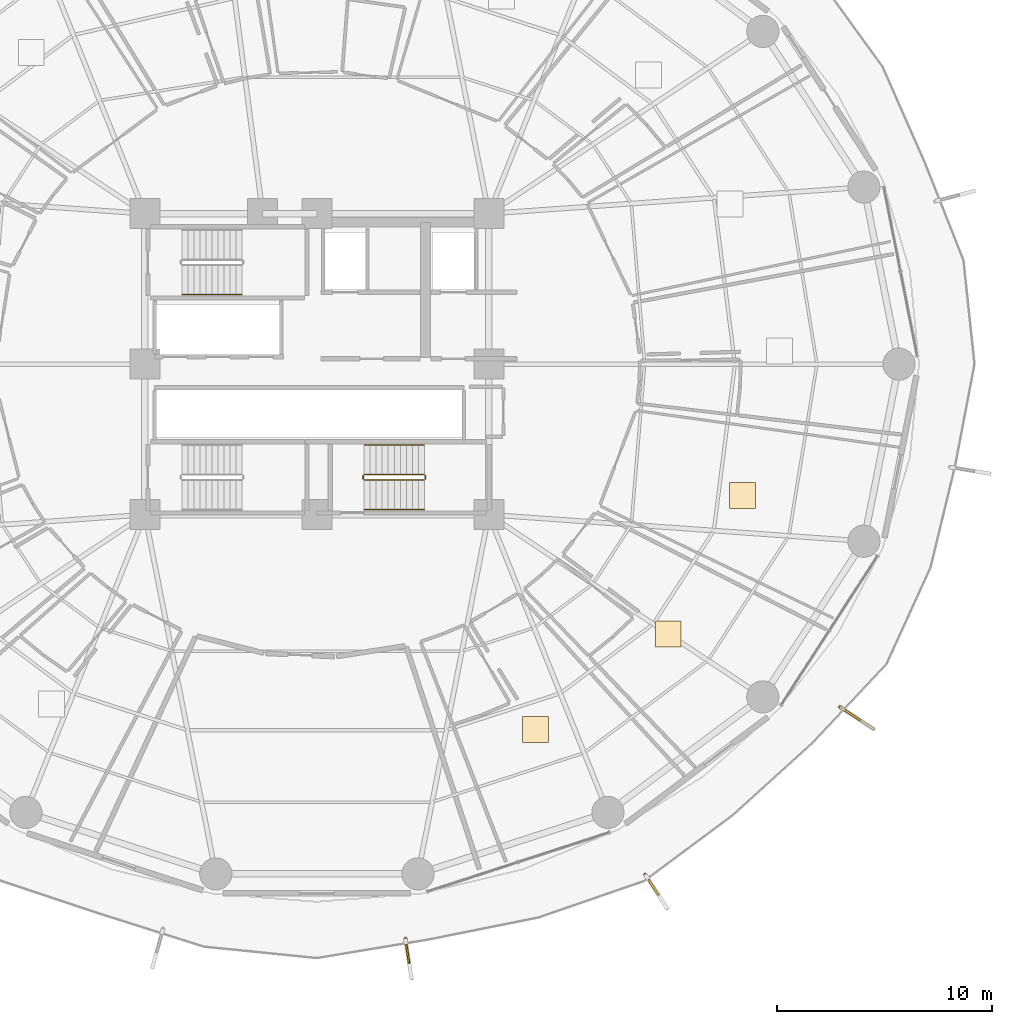
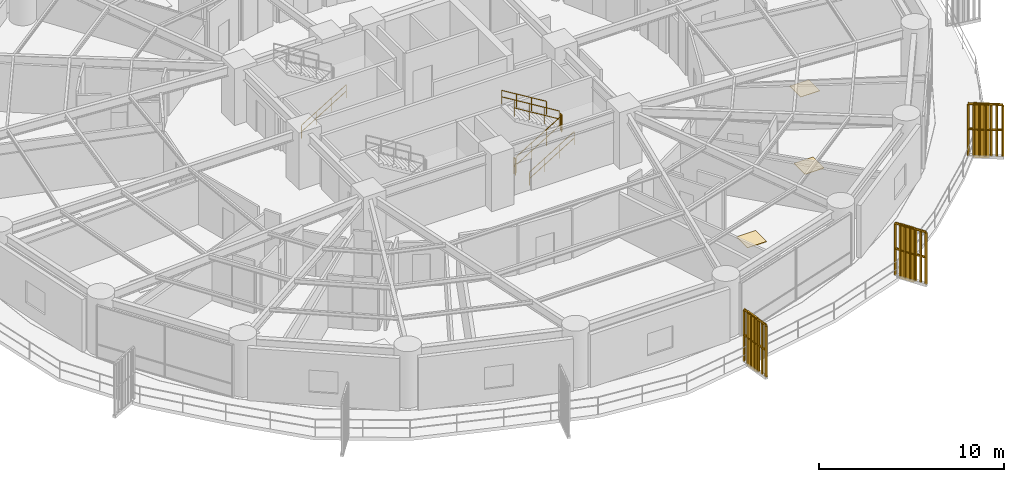
# One storey, part 30 of 33: 10 railings, 3 coverings, 3 shading devices.
"""IFC4 building model written with IfcOpenShell, lengths in metres."""

import ifcopenshell
import ifcopenshell.guid

model = None  # the IFC model being written
_history = None  # IfcOwnerHistory: only IFC2X3 demands one
_inside = {}  # id of a spatial element -> (the spatial element, [elements in it])
_under = {}  # id of a project, library or spatial element -> (it, [spatial elements below it])
_declared = {}  # id of a project -> (the project, [libraries it declares])
_typed = {}  # id of a type object -> (the type object, [elements of that type])
_made_of = {}  # id of a material, layer set ... -> (it, [elements and type objects made of it])


def new_model(schema):
    """Start an empty IFC model of exactly this schema.

    Asked for "IFC4X3", IfcOpenShell would pick the latest addendum, in which some entities
    have other attributes; the version numbers below select the first issue.
    IFC2X3 requires an IfcOwnerHistory on every rooted entity: one is made here for all.
    """
    global model, _history
    if schema == "IFC4X3":
        model = ifcopenshell.file(schema_version=(4, 3, 0, 0))
    else:
        model = ifcopenshell.file(schema=schema)
    _inside.clear()
    _under.clear()
    _declared.clear()
    _typed.clear()
    _made_of.clear()
    _history = None
    if model.schema == "IFC2X3":
        org = make("IfcOrganization", Name="unknown")
        user = make(
            "IfcPersonAndOrganization",
            ThePerson=make("IfcPerson", FamilyName="unknown"),
            TheOrganization=org,
        )
        app = make(
            "IfcApplication",
            ApplicationDeveloper=org,
            Version="unknown",
            ApplicationFullName="unknown",
            ApplicationIdentifier="unknown",
        )
        _history = make(
            "IfcOwnerHistory",
            OwningUser=user,
            OwningApplication=app,
            ChangeAction="ADDED",
            CreationDate=0,
        )
    return model


def make(cls, **values):
    """One entity of the class cls with the attributes given. An attribute that is None is left unset."""
    return model.create_entity(
        cls, **{name: value for name, value in values.items() if value is not None}
    )


def rooted(cls, **values):
    """An entity with a GlobalId (a new one), such as an element, a storey or a relation."""
    return make(cls, GlobalId=ifcopenshell.guid.new(), OwnerHistory=_history, **values)


def si_unit(unit_type, name, prefix=None):
    """IfcSIUnit, for example si_unit("LENGTHUNIT", "METRE", prefix="MILLI")."""
    return make("IfcSIUnit", UnitType=unit_type, Prefix=prefix, Name=name)


def assignment(units):
    """IfcUnitAssignment: the units of a project."""
    return None if units is None else make("IfcUnitAssignment", Units=units)


def point(xyz):
    """IfcCartesianPoint."""
    return None if xyz is None else make("IfcCartesianPoint", Coordinates=xyz)


def direction(xyz):
    """IfcDirection."""
    return None if xyz is None else make("IfcDirection", DirectionRatios=xyz)


def frame(location, z_axis=None, x_axis=None):
    """IfcAxis2Placement3D, a coordinate frame: its origin and axes. An axis left out is left unset."""
    return make(
        "IfcAxis2Placement3D",
        Location=point(location),
        Axis=direction(z_axis),
        RefDirection=direction(x_axis),
    )


def frame_2d(location, x_axis=None):
    """IfcAxis2Placement2D, a coordinate frame in the plane: its origin and x axis."""
    return make(
        "IfcAxis2Placement2D", Location=point(location), RefDirection=direction(x_axis)
    )


def origin():
    """The frame at (0, 0, 0) with its axes left unset."""
    return frame((0.0, 0.0, 0.0))


def origin_2d():
    """The frame at (0, 0) in the plane with its x axis left unset."""
    return frame_2d((0.0, 0.0))


def place(relative_to, where):
    """IfcLocalPlacement: puts the frame where relative to a parent placement (None: the world)."""
    return make(
        "IfcLocalPlacement", PlacementRelTo=relative_to, RelativePlacement=where
    )


def context(
    kind, dimensions, precision=None, world=None, true_north=None, identifier=None
):
    """IfcGeometricRepresentationContext, for example the 3D "Model" context."""
    return make(
        "IfcGeometricRepresentationContext",
        ContextIdentifier=identifier,
        ContextType=kind,
        CoordinateSpaceDimension=dimensions,
        Precision=precision,
        WorldCoordinateSystem=world,
        TrueNorth=true_north,
    )


def subcontext(parent, identifier, kind, view, scale=None):
    """IfcGeometricRepresentationSubContext, for example "Body" below "Model"."""
    return make(
        "IfcGeometricRepresentationSubContext",
        ContextIdentifier=identifier,
        ContextType=kind,
        ParentContext=parent,
        TargetScale=scale,
        TargetView=view,
    )


def project(units=None, contexts=None):
    """IfcProject with its units and contexts."""
    return rooted(
        "IfcProject",
        Name="project",
        RepresentationContexts=contexts,
        UnitsInContext=assignment(units),
    )


def spatial(cls, under=None, at=None, **own):
    """A site, building, storey or space (cls), placed at a placement, below another one or the project."""
    s = rooted(cls, ObjectPlacement=at, **own)
    if under is not None:
        _under.setdefault(under.id(), (under, []))[1].append(s)
    return s


def polyline(points):
    """IfcPolyline through the points."""
    return make("IfcPolyline", Points=[point(p) for p in points])


def profile(cls, at=None, kind="AREA", **sizes):
    """A parametric profile (cls). Its sizes go by their IFC names, for example OverallWidth=200.0."""
    return make(cls, ProfileType=kind, Position=at, **sizes)


def rectangle(**sizes):
    """IfcRectangleProfileDef."""
    return profile("IfcRectangleProfileDef", **sizes)


def outline(outer, holes=None, kind="AREA"):
    """IfcArbitraryClosedProfileDef: a profile drawn as a closed curve; with holes, ...WithVoids."""
    if holes is None:
        return make("IfcArbitraryClosedProfileDef", ProfileType=kind, OuterCurve=outer)
    return make(
        "IfcArbitraryProfileDefWithVoids",
        ProfileType=kind,
        OuterCurve=outer,
        InnerCurves=holes,
    )


def extrude(swept, where, along, depth):
    """IfcExtrudedAreaSolid: the profile swept, set in the frame where, extruded along a direction by depth."""
    return make(
        "IfcExtrudedAreaSolid",
        SweptArea=swept,
        Position=where,
        ExtrudedDirection=direction(along),
        Depth=depth,
    )


def shape(context_of_items, identifier, shape_type, items):
    """IfcShapeRepresentation: the items that make up one representation, for example the "Body"."""
    return make(
        "IfcShapeRepresentation",
        ContextOfItems=context_of_items,
        RepresentationIdentifier=identifier,
        RepresentationType=shape_type,
        Items=items,
    )


def source(mapping_origin, context_of_items, identifier, shape_type, items):
    """IfcRepresentationMap: a shape defined once, which mapped items show again and again."""
    return make(
        "IfcRepresentationMap",
        MappingOrigin=mapping_origin,
        MappedRepresentation=shape(context_of_items, identifier, shape_type, items),
    )


def transform(
    local_origin,
    x_axis=None,
    y_axis=None,
    z_axis=None,
    scale=None,
    scale2=None,
    scale3=None,
    uniform=True,
):
    """IfcCartesianTransformationOperator3D, or its non-uniform kind. x_axis, y_axis, z_axis: its Axis1, 2, 3."""
    if uniform:
        return make(
            "IfcCartesianTransformationOperator3D",
            Axis1=direction(x_axis),
            Axis2=direction(y_axis),
            LocalOrigin=point(local_origin),
            Scale=scale,
            Axis3=direction(z_axis),
        )
    return make(
        "IfcCartesianTransformationOperator3DnonUniform",
        Axis1=direction(x_axis),
        Axis2=direction(y_axis),
        LocalOrigin=point(local_origin),
        Scale=scale,
        Axis3=direction(z_axis),
        Scale2=scale2,
        Scale3=scale3,
    )


def mapped(mapping_source, mapping_target):
    """IfcMappedItem: shows the shape of a source again, moved by a transform."""
    return make(
        "IfcMappedItem", MappingSource=mapping_source, MappingTarget=mapping_target
    )


def material(Name=None, Category=None):
    """IfcMaterial."""
    return make("IfcMaterial", Name=Name, Category=Category)


def layer(
    of_material, thickness, ventilated=None, Name=None, Category=None, Priority=None
):
    """IfcMaterialLayer: one layer of a wall or slab, of a material (None: an air gap)."""
    return make(
        "IfcMaterialLayer",
        Material=of_material,
        LayerThickness=thickness,
        IsVentilated=ventilated,
        Name=Name,
        Category=Category,
        Priority=Priority,
    )


def layer_set(layers, Name=None):
    """IfcMaterialLayerSet."""
    return make("IfcMaterialLayerSet", MaterialLayers=layers, LayerSetName=Name)


def made_of(thing, what):
    """Note that an element or type object is made of a material, layer set ...; save() writes the relation."""
    if what is not None:
        _made_of.setdefault(what.id(), (what, []))[1].append(thing)
    return thing


def type_object(cls, material=None, **own):
    """A type object (cls), such as IfcWallType, which elements share."""
    return made_of(rooted(cls, **own), material)


def element(
    cls,
    number,
    at=None,
    inside=None,
    cuts=None,
    type_object=None,
    material=None,
    context=None,
    identifier="Body",
    shape_type=None,
    held_by="IfcProductDefinitionShape",
    body=None,
    shapes=None,
    **own,
):
    """One element of the class cls, such as IfcWall. Its Tag is "e" and its number.

    at: its placement. inside: the storey or other place that contains it. cuts: it is an
    opening in that element (IfcRelVoidsElement). A single representation is given by context,
    identifier, shape_type and body (its items); several are given by shapes. held_by: the class
    of the entity that holds the representations. save() writes the other relations.
    """
    e = rooted(cls, Tag="e%d" % number, ObjectPlacement=at, **own)
    if body is not None:
        shapes = [shape(context, identifier, shape_type, body)]
    if shapes is not None:
        e.Representation = make(held_by, Representations=shapes)
    if inside is not None:
        _inside.setdefault(inside.id(), (inside, []))[1].append(e)
    if cuts is not None:
        rooted(
            "IfcRelVoidsElement", RelatingBuildingElement=cuts, RelatedOpeningElement=e
        )
    if type_object is not None:
        _typed.setdefault(type_object.id(), (type_object, []))[1].append(e)
    return made_of(e, material)


def aggregate(whole, parts):
    """IfcRelAggregates: a whole, such as a stair, and the parts it consists of."""
    return rooted("IfcRelAggregates", RelatingObject=whole, RelatedObjects=parts)


def save(model, path):
    """Write the relations noted so far, then the file.

    IfcRelAggregates (storeys below a building ...), IfcRelContainedInSpatialStructure (elements
    in a storey), IfcRelDefinesByType, IfcRelAssociatesMaterial and IfcRelDeclares: one each for
    every whole, place, type object, material and project.
    """
    for whole, parts in _under.values():
        aggregate(whole, parts)
    for where, things in _inside.values():
        rooted(
            "IfcRelContainedInSpatialStructure",
            RelatedElements=things,
            RelatingStructure=where,
        )
    for kind, things in _typed.values():
        rooted("IfcRelDefinesByType", RelatedObjects=things, RelatingType=kind)
    for what, things in _made_of.values():
        rooted("IfcRelAssociatesMaterial", RelatedObjects=things, RelatingMaterial=what)
    for by, libraries in _declared.values():
        rooted("IfcRelDeclares", RelatingContext=by, RelatedDefinitions=libraries)
    model.write(path)


model = new_model("IFC4")

# Units and contexts
model_context = context("Model", 3, precision=1e-05, world=origin(), true_north=direction((0.0, 1.0)))
body_context = subcontext(model_context, "Body", "Model", "MODEL_VIEW")
ifc_project = project(units=[si_unit("LENGTHUNIT", "METRE"), si_unit("AREAUNIT", "SQUARE_METRE"), si_unit("VOLUMEUNIT", "CUBIC_METRE"), si_unit("PLANEANGLEUNIT", "RADIAN"), si_unit("MASSUNIT", "GRAM", prefix="KILO")], contexts=[model_context])

# Site, building, storey
site_placement = place(None, origin())
site = spatial("IfcSite", under=ifc_project, at=site_placement, CompositionType="ELEMENT")
building_placement = place(site_placement, origin())
building = spatial("IfcBuilding", under=site, at=building_placement, Name="Kelanora Arch Commons", CompositionType="ELEMENT")
storey_placement = place(building_placement, frame((0.0, 0.0, 37.5)))
storey = spatial("IfcBuildingStorey", under=building, at=storey_placement, Name="L09", CompositionType="ELEMENT", Elevation=37.5)

# Railings
ifc_material_1 = material(Name="Anodised bronze vertical shading fin rib assembly")
railing_type_1 = type_object("IfcRailingType", Name="RAIL-FIN-BRZ", PredefinedType="BALUSTRADE", material=ifc_material_1)
railing_1_placement = place(storey_placement, frame((78.1162109375, 31.281982421875, -0.02001953125)))
element("IfcRailing", 1, at=railing_1_placement, inside=storey, type_object=railing_type_1, Name="Sweeping Bronze Vertical Fin Blade L09-11", PredefinedType="BALUSTRADE", context=body_context, shape_type="SweptSolid", body=[
    extrude(outline(polyline([(0.06982421875, 0.0), (0.034912109375, 0.060546875), (-0.034912109375, 0.060546875), (-0.06982421875, 0.0), (-0.034912109375, -0.060546875), (0.034912109375, -0.060546875), (0.06982421875, 0.0)])), frame((0.0, 0.0, 3.419921875), z_axis=(0.152193796618, -0.988350670699, 0.0), x_axis=(0.988350670699, 0.152193796618, 0.0)), (0.0, 0.0, 1.0), 1.880126953125),
    extrude(outline(polyline([(0.06982421875, 0.0), (0.034912109375, 0.060546875), (-0.034912109375, 0.060546875), (-0.06982421875, 0.0), (-0.034912109375, -0.060546875), (0.034912109375, -0.060546875), (0.06982421875, 0.0)])), frame((0.0, 0.0, 1.7451171875), z_axis=(0.152193796618, -0.988350670699, 0.0), x_axis=(0.988350670699, 0.152193796618, 0.0)), (0.0, 0.0, 1.0), 1.880126953125),
    extrude(outline(polyline([(0.080078125, 0.0), (0.0400390625, 0.0693359375), (-0.0400390625, 0.0693359375), (-0.080078125, 0.0), (-0.0400390625, -0.0693359375), (0.0400390625, -0.0693359375), (0.080078125, 0.0)])), origin(), (0.0, 0.0, 1.0), 3.35009765625),
    extrude(outline(polyline([(0.080078125, 0.0), (0.0400390625, 0.0693359375), (-0.0400390625, 0.0693359375), (-0.080078125, 0.0), (-0.0400390625, -0.0693359375), (0.0400390625, -0.0693359375), (0.080078125, 0.0)])), frame((0.047607421875, -0.3095703125, 0.0)), (0.0, 0.0, 1.0), 3.35009765625),
    extrude(outline(polyline([(0.080078125, 0.0), (0.0400390625, 0.0693359375), (-0.0400390625, 0.0693359375), (-0.080078125, 0.0), (-0.0400390625, -0.0693359375), (0.0400390625, -0.0693359375), (0.080078125, 0.0)])), frame((0.095458984375, -0.619384765625, 0.0)), (0.0, 0.0, 1.0), 3.35009765625),
    extrude(outline(polyline([(0.080078125, 0.0), (0.0400390625, 0.0693359375), (-0.0400390625, 0.0693359375), (-0.080078125, 0.0), (-0.0400390625, -0.0693359375), (0.0400390625, -0.0693359375), (0.080078125, 0.0)])), frame((0.14306640625, -0.92919921875, 0.0)), (0.0, 0.0, 1.0), 3.35009765625),
    extrude(outline(polyline([(0.080078125, 0.0), (0.0400390625, 0.0693359375), (-0.0400390625, 0.0693359375), (-0.080078125, 0.0), (-0.0400390625, -0.0693359375), (0.0400390625, -0.0693359375), (0.080078125, 0.0)])), frame((0.190673828125, -1.23876953125, 0.0)), (0.0, 0.0, 1.0), 3.35009765625),
    extrude(outline(polyline([(0.080078125, 0.0), (0.0400390625, 0.0693359375), (-0.0400390625, 0.0693359375), (-0.080078125, 0.0), (-0.0400390625, -0.0693359375), (0.0400390625, -0.0693359375), (0.080078125, 0.0)])), frame((0.238525390625, -1.54833984375, 0.0)), (0.0, 0.0, 1.0), 3.35009765625),
    extrude(outline(polyline([(0.080078125, 0.0), (0.0400390625, 0.0693359375), (-0.0400390625, 0.0693359375), (-0.080078125, 0.0), (-0.0400390625, -0.0693359375), (0.0400390625, -0.0693359375), (0.080078125, 0.0)])), frame((0.2861328125, -1.858154296875, 0.0)), (0.0, 0.0, 1.0), 3.35009765625),
])
railing_2_placement = place(storey_placement, frame((89.270751953125, 34.266357421875, -0.02001953125)))
element("IfcRailing", 2, at=railing_2_placement, inside=storey, type_object=railing_type_1, Name="Sweeping Bronze Vertical Fin Blade L09-12", PredefinedType="BALUSTRADE", context=body_context, shape_type="SweptSolid", body=[
    extrude(outline(polyline([(0.06982421875, 0.0), (0.034912109375, 0.060546875), (-0.034912109375, 0.060546875), (-0.06982421875, 0.0), (-0.034912109375, -0.060546875), (0.034912109375, -0.060546875), (0.06982421875, 0.0)])), frame((0.0, 0.0, 3.419921875), z_axis=(0.541111953061, -0.84095056588, 0.0), x_axis=(0.84095056588, 0.541111953061, 0.0)), (0.0, 0.0, 1.0), 1.880126953125),
    extrude(outline(polyline([(0.06982421875, 0.0), (0.034912109375, 0.060546875), (-0.034912109375, 0.060546875), (-0.06982421875, 0.0), (-0.034912109375, -0.060546875), (0.034912109375, -0.060546875), (0.06982421875, 0.0)])), frame((0.0, 0.0, 1.7451171875), z_axis=(0.541111953061, -0.84095056588, 0.0), x_axis=(0.84095056588, 0.541111953061, 0.0)), (0.0, 0.0, 1.0), 1.880126953125),
    extrude(outline(polyline([(0.080078125, 0.0), (0.0400390625, 0.0693359375), (-0.0400390625, 0.0693359375), (-0.080078125, 0.0), (-0.0400390625, -0.0693359375), (0.0400390625, -0.0693359375), (0.080078125, 0.0)])), origin(), (0.0, 0.0, 1.0), 3.35009765625),
    extrude(outline(polyline([(0.080078125, 0.0), (0.0400390625, 0.0693359375), (-0.0400390625, 0.0693359375), (-0.080078125, 0.0), (-0.0400390625, -0.0693359375), (0.0400390625, -0.0693359375), (0.080078125, 0.0)])), frame((0.16943359375, -0.263427734375, 0.0)), (0.0, 0.0, 1.0), 3.35009765625),
    extrude(outline(polyline([(0.080078125, 0.0), (0.0400390625, 0.0693359375), (-0.0400390625, 0.0693359375), (-0.080078125, 0.0), (-0.0400390625, -0.0693359375), (0.0400390625, -0.0693359375), (0.080078125, 0.0)])), frame((0.339111328125, -0.527099609375, 0.0)), (0.0, 0.0, 1.0), 3.35009765625),
    extrude(outline(polyline([(0.080078125, 0.0), (0.0400390625, 0.0693359375), (-0.0400390625, 0.0693359375), (-0.080078125, 0.0), (-0.0400390625, -0.0693359375), (0.0400390625, -0.0693359375), (0.080078125, 0.0)])), frame((0.5087890625, -0.79052734375, 0.0)), (0.0, 0.0, 1.0), 3.35009765625),
    extrude(outline(polyline([(0.080078125, 0.0), (0.0400390625, 0.0693359375), (-0.0400390625, 0.0693359375), (-0.080078125, 0.0), (-0.0400390625, -0.0693359375), (0.0400390625, -0.0693359375), (0.080078125, 0.0)])), frame((0.67822265625, -1.053955078125, 0.0)), (0.0, 0.0, 1.0), 3.35009765625),
    extrude(outline(polyline([(0.080078125, 0.0), (0.0400390625, 0.0693359375), (-0.0400390625, 0.0693359375), (-0.080078125, 0.0), (-0.0400390625, -0.0693359375), (0.0400390625, -0.0693359375), (0.080078125, 0.0)])), frame((0.84765625, -1.317626953125, 0.0)), (0.0, 0.0, 1.0), 3.35009765625),
    extrude(outline(polyline([(0.080078125, 0.0), (0.0400390625, 0.0693359375), (-0.0400390625, 0.0693359375), (-0.080078125, 0.0), (-0.0400390625, -0.0693359375), (0.0400390625, -0.0693359375), (0.080078125, 0.0)])), frame((1.017333984375, -1.5810546875, 0.0)), (0.0, 0.0, 1.0), 3.35009765625),
])
railing_3_placement = place(storey_placement, frame((98.327392578125, 42.05517578125, -0.02001953125)))
element("IfcRailing", 3, at=railing_3_placement, inside=storey, type_object=railing_type_1, Name="Sweeping Bronze Vertical Fin Blade L09-13", PredefinedType="BALUSTRADE", context=body_context, shape_type="SweptSolid", body=[
    extrude(outline(polyline([(0.06982421875, 0.0), (0.034912109375, 0.060546875), (-0.034912109375, 0.060546875), (-0.06982421875, 0.0), (-0.034912109375, -0.060546875), (0.034912109375, -0.060546875), (0.06982421875, 0.0)])), frame((0.0, 0.0, 3.419921875), z_axis=(0.836360525938, -0.5481797795, 0.0), x_axis=(0.5481797795, 0.836360525938, 0.0)), (0.0, 0.0, 1.0), 1.8798828125),
    extrude(outline(polyline([(0.06982421875, 0.0), (0.034912109375, 0.060546875), (-0.034912109375, 0.060546875), (-0.06982421875, 0.0), (-0.034912109375, -0.060546875), (0.034912109375, -0.060546875), (0.06982421875, 0.0)])), frame((0.0, 0.0, 1.7451171875), z_axis=(0.836360525938, -0.5481797795, 0.0), x_axis=(0.5481797795, 0.836360525938, 0.0)), (0.0, 0.0, 1.0), 1.8798828125),
    extrude(outline(polyline([(0.080078125, 0.0), (0.0400390625, 0.0693359375), (-0.0400390625, 0.0693359375), (-0.080078125, 0.0), (-0.0400390625, -0.0693359375), (0.0400390625, -0.0693359375), (0.080078125, 0.0)])), origin(), (0.0, 0.0, 1.0), 3.35009765625),
    extrude(outline(polyline([(0.080078125, 0.0), (0.0400390625, 0.0693359375), (-0.0400390625, 0.0693359375), (-0.080078125, 0.0), (-0.0400390625, -0.0693359375), (0.0400390625, -0.0693359375), (0.080078125, 0.0)])), frame((0.261962890625, -0.171875, 0.0)), (0.0, 0.0, 1.0), 3.35009765625),
    extrude(outline(polyline([(0.080078125, 0.0), (0.0400390625, 0.0693359375), (-0.0400390625, 0.0693359375), (-0.080078125, 0.0), (-0.0400390625, -0.0693359375), (0.0400390625, -0.0693359375), (0.080078125, 0.0)])), frame((0.524169921875, -0.343505859375, 0.0)), (0.0, 0.0, 1.0), 3.35009765625),
    extrude(outline(polyline([(0.080078125, 0.0), (0.0400390625, 0.0693359375), (-0.0400390625, 0.0693359375), (-0.080078125, 0.0), (-0.0400390625, -0.0693359375), (0.0400390625, -0.0693359375), (0.080078125, 0.0)])), frame((0.7861328125, -0.51513671875, 0.0)), (0.0, 0.0, 1.0), 3.35009765625),
    extrude(outline(polyline([(0.080078125, 0.0), (0.0400390625, 0.0693359375), (-0.0400390625, 0.0693359375), (-0.080078125, 0.0), (-0.0400390625, -0.0693359375), (0.0400390625, -0.0693359375), (0.080078125, 0.0)])), frame((1.048095703125, -0.68701171875, 0.0)), (0.0, 0.0, 1.0), 3.35009765625),
    extrude(outline(polyline([(0.080078125, 0.0), (0.0400390625, 0.0693359375), (-0.0400390625, 0.0693359375), (-0.080078125, 0.0), (-0.0400390625, -0.0693359375), (0.0400390625, -0.0693359375), (0.080078125, 0.0)])), frame((1.310302734375, -0.85888671875, 0.0)), (0.0, 0.0, 1.0), 3.35009765625),
    extrude(outline(polyline([(0.080078125, 0.0), (0.0400390625, 0.0693359375), (-0.0400390625, 0.0693359375), (-0.080078125, 0.0), (-0.0400390625, -0.0693359375), (0.0400390625, -0.0693359375), (0.080078125, 0.0)])), frame((1.572265625, -1.030517578125, 0.0)), (0.0, 0.0, 1.0), 3.35009765625),
])
ifc_material_2 = material(Name="Painted steel stair well guard", Category="steel")
railing_type_2 = type_object("IfcRailingType", Name="RAIL-STAIR-GRD", PredefinedType="GUARDRAIL", material=ifc_material_2)
railing_4_placement = place(storey_placement, frame((76.199951171875, 52.610107421875, 0.17041015625)))
element("IfcRailing", 4, at=railing_4_placement, inside=storey, type_object=railing_type_2, Name="L09 ST-T2 stair guard 1", PredefinedType="GUARDRAIL", context=body_context, shape_type="SweptSolid", body=[
    extrude(outline(polyline([(0.02392578125, 0.0), (0.011962890625, 0.020751953125), (-0.011962890625, 0.020751953125), (-0.02392578125, 0.0), (-0.011962890625, -0.020751953125), (0.011962890625, -0.020751953125), (0.02392578125, 0.0)])), frame((0.0, 0.0, 1.076171875), z_axis=(0.854169791009, 0.0, 0.51999420009), x_axis=(0.0, 1.0, 0.0)), (0.0, 0.0, 1.0), 3.278076171875),
    extrude(outline(polyline([(0.02392578125, 0.0), (0.011962890625, 0.020751953125), (-0.011962890625, 0.020751953125), (-0.02392578125, 0.0), (-0.011962890625, -0.020751953125), (0.011962890625, -0.020751953125), (0.02392578125, 0.0)])), frame((0.0, 0.0, 0.550048828125), z_axis=(0.854169791009, 0.0, 0.51999420009), x_axis=(0.0, 1.0, 0.0)), (0.0, 0.0, 1.0), 3.278076171875),
    extrude(outline(polyline([(0.02099609375, 0.0), (0.010498046875, 0.01806640625), (-0.010498046875, 0.01806640625), (-0.02099609375, 0.0), (-0.010498046875, -0.01806640625), (0.010498046875, -0.01806640625), (0.02099609375, 0.0)])), origin(), (0.0, 0.0, 1.0), 1.052001953125),
    extrude(outline(polyline([(0.02099609375, 0.0), (0.010498046875, 0.01806640625), (-0.010498046875, 0.01806640625), (-0.02099609375, 0.0), (-0.010498046875, -0.01806640625), (0.010498046875, -0.01806640625), (0.02099609375, 0.0)])), frame((0.933349609375, 0.0, 0.568115234375)), (0.0, 0.0, 1.0), 1.052001953125),
    extrude(outline(polyline([(0.02099609375, 0.0), (0.010498046875, 0.01806640625), (-0.010498046875, 0.01806640625), (-0.02099609375, 0.0), (-0.010498046875, -0.01806640625), (0.010498046875, -0.01806640625), (0.02099609375, 0.0)])), frame((1.86669921875, 0.0, 1.136474609375)), (0.0, 0.0, 1.0), 1.052001953125),
    extrude(outline(polyline([(0.02099609375, 0.0), (0.010498046875, 0.01806640625), (-0.010498046875, 0.01806640625), (-0.02099609375, 0.0), (-0.010498046875, -0.01806640625), (0.010498046875, -0.01806640625), (0.02099609375, 0.0)])), frame((2.800048828125, 0.0, 1.70458984375)), (0.0, 0.0, 1.0), 1.052001953125),
])
railing_5_placement = place(storey_placement, frame((79.050048828125, 52.659912109375, 1.875)))
element("IfcRailing", 5, at=railing_5_placement, inside=storey, type_object=railing_type_2, Name="L09 ST-T2 stair guard 2", PredefinedType="GUARDRAIL", context=body_context, shape_type="SweptSolid", body=[
    extrude(outline(polyline([(0.02392578125, 0.0), (0.011962890625, 0.020751953125), (-0.011962890625, 0.020751953125), (-0.02392578125, 0.0), (-0.011962890625, -0.020751953125), (0.011962890625, -0.020751953125), (0.02392578125, 0.0)])), frame((0.0, 0.0, 1.076171875), z_axis=(0.0, 1.0, 0.0), x_axis=(-1.0, 0.0, 0.0)), (0.0, 0.0, 1.0), 0.150146484375),
    extrude(outline(polyline([(0.02392578125, 0.0), (0.011962890625, 0.020751953125), (-0.011962890625, 0.020751953125), (-0.02392578125, 0.0), (-0.011962890625, -0.020751953125), (0.011962890625, -0.020751953125), (0.02392578125, 0.0)])), frame((0.0, 0.0, 0.550048828125), z_axis=(0.0, 1.0, 0.0), x_axis=(-1.0, 0.0, 0.0)), (0.0, 0.0, 1.0), 0.150146484375),
    extrude(outline(polyline([(0.02099609375, 0.0), (0.010498046875, 0.01806640625), (-0.010498046875, 0.01806640625), (-0.02099609375, 0.0), (-0.010498046875, -0.01806640625), (0.010498046875, -0.01806640625), (0.02099609375, 0.0)])), origin(), (0.0, 0.0, 1.0), 1.052001953125),
    extrude(outline(polyline([(0.02099609375, 0.0), (0.010498046875, 0.01806640625), (-0.010498046875, 0.01806640625), (-0.02099609375, 0.0), (-0.010498046875, -0.01806640625), (0.010498046875, -0.01806640625), (0.02099609375, 0.0)])), frame((0.0, 0.150146484375, 0.0)), (0.0, 0.0, 1.0), 1.052001953125),
])
railing_6_placement = place(storey_placement, frame((79.0, 52.860107421875, 2.04541015625)))
element("IfcRailing", 6, at=railing_6_placement, inside=storey, type_object=railing_type_2, Name="L09 ST-T2 stair guard 3", PredefinedType="GUARDRAIL", context=body_context, shape_type="SweptSolid", body=[
    extrude(outline(polyline([(0.02392578125, 0.0), (0.011962890625, 0.020751953125), (-0.011962890625, 0.020751953125), (-0.02392578125, 0.0), (-0.011962890625, -0.020751953125), (0.011962890625, -0.020751953125), (0.02392578125, 0.0)])), frame((0.0, 0.0, 1.076171875), z_axis=(-0.854169791009, 0.0, 0.51999420009), x_axis=(0.0, -1.0, 0.0)), (0.0, 0.0, 1.0), 3.278076171875),
    extrude(outline(polyline([(0.02392578125, 0.0), (0.011962890625, 0.020751953125), (-0.011962890625, 0.020751953125), (-0.02392578125, 0.0), (-0.011962890625, -0.020751953125), (0.011962890625, -0.020751953125), (0.02392578125, 0.0)])), frame((0.0, 0.0, 0.550048828125), z_axis=(-0.854169791009, 0.0, 0.51999420009), x_axis=(0.0, -1.0, 0.0)), (0.0, 0.0, 1.0), 3.278076171875),
    extrude(outline(polyline([(0.02099609375, 0.0), (0.010498046875, 0.01806640625), (-0.010498046875, 0.01806640625), (-0.02099609375, 0.0), (-0.010498046875, -0.01806640625), (0.010498046875, -0.01806640625), (0.02099609375, 0.0)])), origin(), (0.0, 0.0, 1.0), 1.052001953125),
    extrude(outline(polyline([(0.02099609375, 0.0), (0.010498046875, 0.01806640625), (-0.010498046875, 0.01806640625), (-0.02099609375, 0.0), (-0.010498046875, -0.01806640625), (0.010498046875, -0.01806640625), (0.02099609375, 0.0)])), frame((-0.933349609375, 0.0, 0.568115234375)), (0.0, 0.0, 1.0), 1.052001953125),
    extrude(outline(polyline([(0.02099609375, 0.0), (0.010498046875, 0.01806640625), (-0.010498046875, 0.01806640625), (-0.02099609375, 0.0), (-0.010498046875, -0.01806640625), (0.010498046875, -0.01806640625), (0.02099609375, 0.0)])), frame((-1.86669921875, 0.0, 1.136474609375)), (0.0, 0.0, 1.0), 1.052001953125),
    extrude(outline(polyline([(0.02099609375, 0.0), (0.010498046875, 0.01806640625), (-0.010498046875, 0.01806640625), (-0.02099609375, 0.0), (-0.010498046875, -0.01806640625), (0.010498046875, -0.01806640625), (0.02099609375, 0.0)])), frame((-2.800048828125, 0.0, 1.70458984375)), (0.0, 0.0, 1.0), 1.052001953125),
])
railing_7_placement = place(storey_placement, frame((76.14990234375, 52.659912109375, 0.0)))
element("IfcRailing", 7, at=railing_7_placement, inside=storey, type_object=railing_type_2, Name="L09 ST-T2 stair guard 4", PredefinedType="GUARDRAIL", context=body_context, shape_type="SweptSolid", body=[
    extrude(outline(polyline([(0.02392578125, 0.0), (0.011962890625, 0.020751953125), (-0.011962890625, 0.020751953125), (-0.02392578125, 0.0), (-0.011962890625, -0.020751953125), (0.011962890625, -0.020751953125), (0.02392578125, 0.0)])), frame((0.0, 0.0, 1.076171875), z_axis=(0.0, 1.0, 0.0), x_axis=(-1.0, 0.0, 0.0)), (0.0, 0.0, 1.0), 0.150146484375),
    extrude(outline(polyline([(0.02392578125, 0.0), (0.011962890625, 0.020751953125), (-0.011962890625, 0.020751953125), (-0.02392578125, 0.0), (-0.011962890625, -0.020751953125), (0.011962890625, -0.020751953125), (0.02392578125, 0.0)])), frame((0.0, 0.0, 0.550048828125), z_axis=(0.0, 1.0, 0.0), x_axis=(-1.0, 0.0, 0.0)), (0.0, 0.0, 1.0), 0.150146484375),
    extrude(outline(polyline([(0.02099609375, 0.0), (0.010498046875, 0.01806640625), (-0.010498046875, 0.01806640625), (-0.02099609375, 0.0), (-0.010498046875, -0.01806640625), (0.010498046875, -0.01806640625), (0.02099609375, 0.0)])), origin(), (0.0, 0.0, 1.0), 1.052001953125),
    extrude(outline(polyline([(0.02099609375, 0.0), (0.010498046875, 0.01806640625), (-0.010498046875, 0.01806640625), (-0.02099609375, 0.0), (-0.010498046875, -0.01806640625), (0.010498046875, -0.01806640625), (0.02099609375, 0.0)])), frame((0.0, 0.150146484375, 0.0)), (0.0, 0.0, 1.0), 1.052001953125),
])
ifc_material_3 = material(Name="Brushed stainless steel stair handrail", Category="steel")
railing_type_3 = type_object("IfcRailingType", Name="RAIL-STAIR-HND", PredefinedType="HANDRAIL", material=ifc_material_3)
railing_8_placement = place(storey_placement, frame((67.719970703125, 61.22998046875, 0.17041015625)))
element("IfcRailing", 8, at=railing_8_placement, inside=storey, type_object=railing_type_3, Name="L09 ST-T1 stair handrail 1", PredefinedType="HANDRAIL", context=body_context, shape_type="SweptSolid", body=[
    extrude(outline(polyline([(0.02392578125, 0.0), (0.011962890625, 0.020751953125), (-0.011962890625, 0.020751953125), (-0.02392578125, 0.0), (-0.011962890625, -0.020751953125), (0.011962890625, -0.020751953125), (0.02392578125, 0.0)])), frame((0.0, 0.0, 0.8759765625), z_axis=(0.854169791009, 0.0, 0.51999420009), x_axis=(0.0, 1.0, 0.0)), (0.0, 0.0, 1.0), 3.278076171875),
    extrude(outline(polyline([(0.02392578125, 0.0), (0.011962890625, 0.020751953125), (-0.011962890625, 0.020751953125), (-0.02392578125, 0.0), (-0.011962890625, -0.020751953125), (0.011962890625, -0.020751953125), (0.02392578125, 0.0)])), frame((0.0, 0.0, 0.449951171875), z_axis=(0.854169791009, 0.0, 0.51999420009), x_axis=(0.0, 1.0, 0.0)), (0.0, 0.0, 1.0), 3.278076171875),
    extrude(outline(polyline([(0.02099609375, 0.0), (0.010498046875, 0.01806640625), (-0.010498046875, 0.01806640625), (-0.02099609375, 0.0), (-0.010498046875, -0.01806640625), (0.010498046875, -0.01806640625), (0.02099609375, 0.0)])), origin(), (0.0, 0.0, 1.0), 0.851806640625),
    extrude(outline(polyline([(0.02099609375, 0.0), (0.010498046875, 0.01806640625), (-0.010498046875, 0.01806640625), (-0.02099609375, 0.0), (-0.010498046875, -0.01806640625), (0.010498046875, -0.01806640625), (0.02099609375, 0.0)])), frame((0.933349609375, 0.0, 0.568115234375)), (0.0, 0.0, 1.0), 0.851806640625),
    extrude(outline(polyline([(0.02099609375, 0.0), (0.010498046875, 0.01806640625), (-0.010498046875, 0.01806640625), (-0.02099609375, 0.0), (-0.010498046875, -0.01806640625), (0.010498046875, -0.01806640625), (0.02099609375, 0.0)])), frame((1.86669921875, 0.0, 1.136474609375)), (0.0, 0.0, 1.0), 0.851806640625),
    extrude(outline(polyline([(0.02099609375, 0.0), (0.010498046875, 0.01806640625), (-0.010498046875, 0.01806640625), (-0.02099609375, 0.0), (-0.010498046875, -0.01806640625), (0.010498046875, -0.01806640625), (0.02099609375, 0.0)])), frame((2.800048828125, 0.0, 1.70458984375)), (0.0, 0.0, 1.0), 0.851806640625),
])
railing_9_placement = place(storey_placement, frame((76.199951171875, 51.22998046875, 0.17041015625)))
element("IfcRailing", 9, at=railing_9_placement, inside=storey, type_object=railing_type_3, Name="L09 ST-T2 stair handrail 1", PredefinedType="HANDRAIL", context=body_context, shape_type="SweptSolid", body=[
    extrude(outline(polyline([(0.02392578125, 0.0), (0.011962890625, 0.020751953125), (-0.011962890625, 0.020751953125), (-0.02392578125, 0.0), (-0.011962890625, -0.020751953125), (0.011962890625, -0.020751953125), (0.02392578125, 0.0)])), frame((0.0, 0.0, 0.8759765625), z_axis=(0.854169791009, 0.0, 0.51999420009), x_axis=(0.0, 1.0, 0.0)), (0.0, 0.0, 1.0), 3.278076171875),
    extrude(outline(polyline([(0.02392578125, 0.0), (0.011962890625, 0.020751953125), (-0.011962890625, 0.020751953125), (-0.02392578125, 0.0), (-0.011962890625, -0.020751953125), (0.011962890625, -0.020751953125), (0.02392578125, 0.0)])), frame((0.0, 0.0, 0.449951171875), z_axis=(0.854169791009, 0.0, 0.51999420009), x_axis=(0.0, 1.0, 0.0)), (0.0, 0.0, 1.0), 3.278076171875),
    extrude(outline(polyline([(0.02099609375, 0.0), (0.010498046875, 0.01806640625), (-0.010498046875, 0.01806640625), (-0.02099609375, 0.0), (-0.010498046875, -0.01806640625), (0.010498046875, -0.01806640625), (0.02099609375, 0.0)])), origin(), (0.0, 0.0, 1.0), 0.851806640625),
    extrude(outline(polyline([(0.02099609375, 0.0), (0.010498046875, 0.01806640625), (-0.010498046875, 0.01806640625), (-0.02099609375, 0.0), (-0.010498046875, -0.01806640625), (0.010498046875, -0.01806640625), (0.02099609375, 0.0)])), frame((0.933349609375, 0.0, 0.568115234375)), (0.0, 0.0, 1.0), 0.851806640625),
    extrude(outline(polyline([(0.02099609375, 0.0), (0.010498046875, 0.01806640625), (-0.010498046875, 0.01806640625), (-0.02099609375, 0.0), (-0.010498046875, -0.01806640625), (0.010498046875, -0.01806640625), (0.02099609375, 0.0)])), frame((1.86669921875, 0.0, 1.136474609375)), (0.0, 0.0, 1.0), 0.851806640625),
    extrude(outline(polyline([(0.02099609375, 0.0), (0.010498046875, 0.01806640625), (-0.010498046875, 0.01806640625), (-0.02099609375, 0.0), (-0.010498046875, -0.01806640625), (0.010498046875, -0.01806640625), (0.02099609375, 0.0)])), frame((2.800048828125, 0.0, 1.70458984375)), (0.0, 0.0, 1.0), 0.851806640625),
])
railing_10_placement = place(storey_placement, frame((79.0, 54.239990234375, 2.04541015625)))
element("IfcRailing", 10, at=railing_10_placement, inside=storey, type_object=railing_type_3, Name="L09 ST-T2 stair handrail 2", PredefinedType="HANDRAIL", context=body_context, shape_type="SweptSolid", body=[
    extrude(outline(polyline([(0.02392578125, 0.0), (0.011962890625, 0.020751953125), (-0.011962890625, 0.020751953125), (-0.02392578125, 0.0), (-0.011962890625, -0.020751953125), (0.011962890625, -0.020751953125), (0.02392578125, 0.0)])), frame((0.0, 0.0, 0.8759765625), z_axis=(-0.854169791009, 0.0, 0.51999420009), x_axis=(0.0, -1.0, 0.0)), (0.0, 0.0, 1.0), 3.278076171875),
    extrude(outline(polyline([(0.02392578125, 0.0), (0.011962890625, 0.020751953125), (-0.011962890625, 0.020751953125), (-0.02392578125, 0.0), (-0.011962890625, -0.020751953125), (0.011962890625, -0.020751953125), (0.02392578125, 0.0)])), frame((0.0, 0.0, 0.449951171875), z_axis=(-0.854169791009, 0.0, 0.51999420009), x_axis=(0.0, -1.0, 0.0)), (0.0, 0.0, 1.0), 3.278076171875),
    extrude(outline(polyline([(0.02099609375, 0.0), (0.010498046875, 0.01806640625), (-0.010498046875, 0.01806640625), (-0.02099609375, 0.0), (-0.010498046875, -0.01806640625), (0.010498046875, -0.01806640625), (0.02099609375, 0.0)])), origin(), (0.0, 0.0, 1.0), 0.851806640625),
    extrude(outline(polyline([(0.02099609375, 0.0), (0.010498046875, 0.01806640625), (-0.010498046875, 0.01806640625), (-0.02099609375, 0.0), (-0.010498046875, -0.01806640625), (0.010498046875, -0.01806640625), (0.02099609375, 0.0)])), frame((-0.933349609375, 0.0, 0.568115234375)), (0.0, 0.0, 1.0), 0.851806640625),
    extrude(outline(polyline([(0.02099609375, 0.0), (0.010498046875, 0.01806640625), (-0.010498046875, 0.01806640625), (-0.02099609375, 0.0), (-0.010498046875, -0.01806640625), (0.010498046875, -0.01806640625), (0.02099609375, 0.0)])), frame((-1.86669921875, 0.0, 1.136474609375)), (0.0, 0.0, 1.0), 0.851806640625),
    extrude(outline(polyline([(0.02099609375, 0.0), (0.010498046875, 0.01806640625), (-0.010498046875, 0.01806640625), (-0.02099609375, 0.0), (-0.010498046875, -0.01806640625), (0.010498046875, -0.01806640625), (0.02099609375, 0.0)])), frame((-2.800048828125, 0.0, 1.70458984375)), (0.0, 0.0, 1.0), 0.851806640625),
])

# Shading devices
ifc_material_4 = material(Name="Terracotta ceramic-clad extruded aluminium fin", Category="masonry")
shading_device_type = type_object("IfcShadingDeviceType", Name="SHD-FIN-FLARE", PredefinedType="USERDEFINED", material=ifc_material_4)
shared_shape_1 = source(origin(), body_context, "Body", "SweptSolid", [
    extrude(rectangle(XDim=0.8798828125, YDim=0.090087890625, at=origin_2d()), origin(), (0.0, 0.0, 1.0), 3.610107421875),
])
for number, where, z_axis, x_axis, name in (
    (11, (78.2255859375, 30.5703125, -0.14013671875), (0.0, 0.0, 1.0), (0.152295885498, -0.988334944875, 0.0), "Sweeping Terracotta Fin L09-11"),
    (12, (89.660400390625, 33.660888671875, -0.14013671875), (0.0, 0.0, 1.0), (0.541121252127, -0.840944582298, 0.0), "Sweeping Terracotta Fin L09-12"),
    (13, (98.929443359375, 41.660400390625, -0.14013671875), (0.0, 0.0, 1.0), (0.836381838331, -0.548147261701, 0.0), "Sweeping Terracotta Fin L09-13"),
):
    element("IfcShadingDevice", number, at=place(storey_placement, frame(where, z_axis=z_axis, x_axis=x_axis)), inside=storey, type_object=shading_device_type, Name=name, ObjectType="FIN", PredefinedType="USERDEFINED", context=body_context, shape_type="MappedRepresentation", body=[
        mapped(shared_shape_1, transform((0.0, 0.0, 0.0), scale=1.0)),
    ])

# Coverings
ifc_material_5 = material(Name="Polished local granite terrazzo flooring", Category="masonry")
ifc_layer = layer(ifc_material_5, 0.030029296875)
ifc_layer_set = layer_set([ifc_layer], Name="Polished local granite terrazzo flooring")
covering_type = type_object("IfcCoveringType", Name="COV-FLR-TER", PredefinedType="FLOORING", material=ifc_layer_set)
shared_shape_2 = source(origin(), body_context, "Body", "SweptSolid", [
    extrude(rectangle(XDim=1.199951171875, YDim=1.199951171875, at=origin_2d()), origin(), (0.0, 0.0, 1.0), 0.030029296875),
])
for number, where, z_axis, x_axis, name in (
    (14, (84.1767578125, 41.005126953125, 0.0), (0.0, 0.0, 1.0), (1.0, 0.0, 0.0), "Co-Living Studio L09-01 Terrazzo Finish"),
    (15, (90.347900390625, 45.453369140625, 0.0), (0.0, 0.0, 1.0), (1.0, 0.0, 0.0), "Co-Living Studio L09-02 Terrazzo Finish"),
    (16, (93.7978515625, 51.888427734375, 0.0), (0.0, 0.0, 1.0), (1.0, 0.0, 0.0), "Communal Dining and Social Hall L09-03 Terrazzo Finish"),
):
    element("IfcCovering", number, at=place(storey_placement, frame(where, z_axis=z_axis, x_axis=x_axis)), inside=storey, type_object=covering_type, Name=name, PredefinedType="FLOORING", context=body_context, shape_type="MappedRepresentation", body=[
        mapped(shared_shape_2, transform((0.0, 0.0, 0.0), scale=1.0)),
    ])

save(model, "model.ifc")
